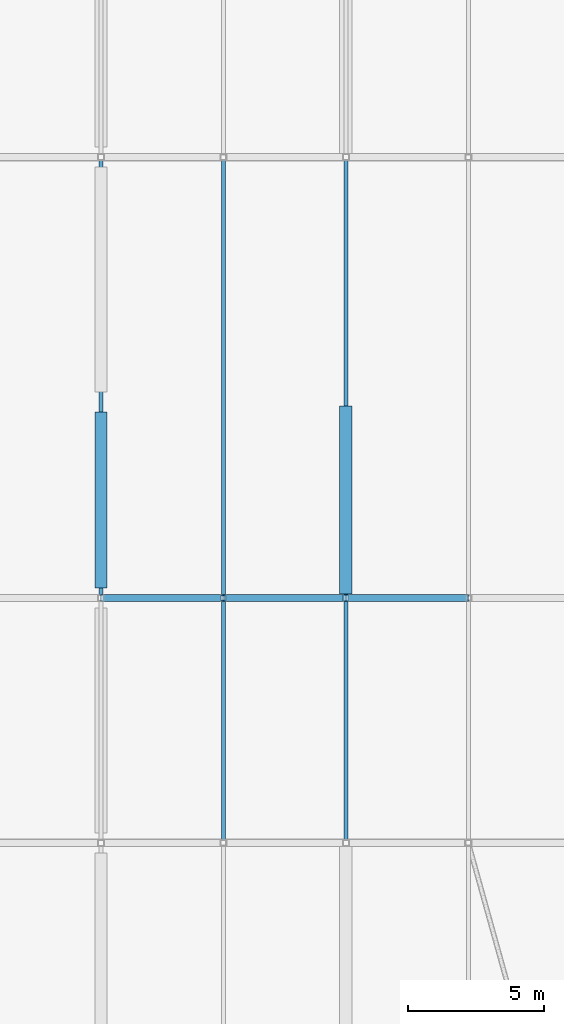
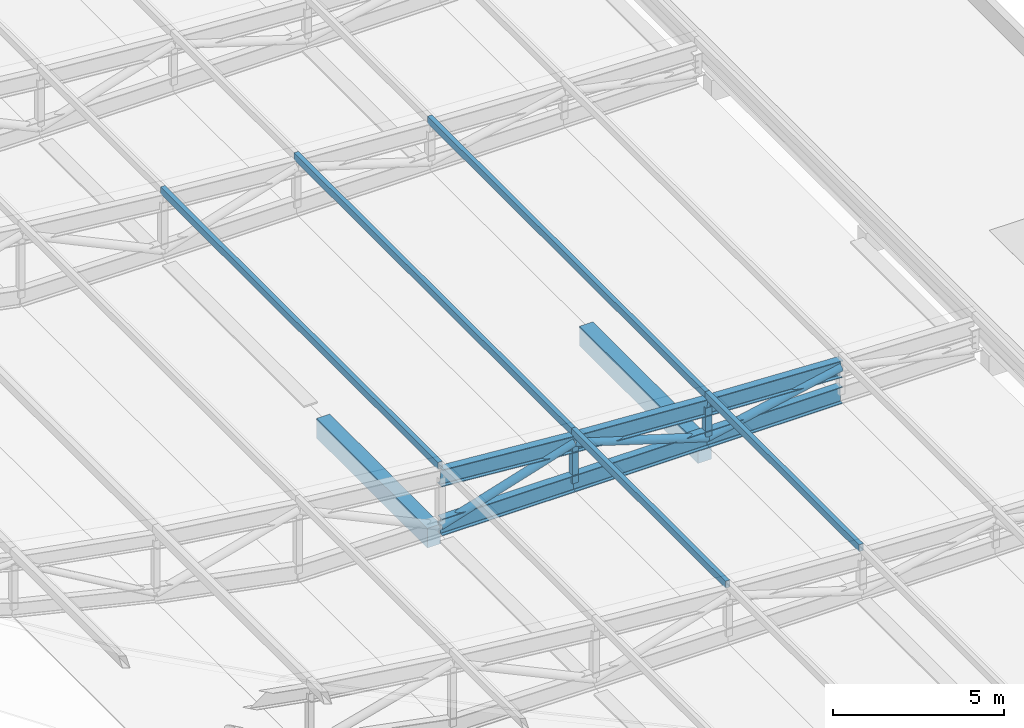
# One storey, part 57 of 114: 10 members, 8 beams.
"""IFC4 building model written with IfcOpenShell, lengths in metres."""

import ifcopenshell
import ifcopenshell.guid

model = None  # the IFC model being written
_history = None  # IfcOwnerHistory: only IFC2X3 demands one
_inside = {}  # id of a spatial element -> (the spatial element, [elements in it])
_under = {}  # id of a project, library or spatial element -> (it, [spatial elements below it])
_declared = {}  # id of a project -> (the project, [libraries it declares])
_typed = {}  # id of a type object -> (the type object, [elements of that type])
_made_of = {}  # id of a material, layer set ... -> (it, [elements and type objects made of it])


def new_model(schema):
    """Start an empty IFC model of exactly this schema.

    Asked for "IFC4X3", IfcOpenShell would pick the latest addendum, in which some entities
    have other attributes; the version numbers below select the first issue.
    IFC2X3 requires an IfcOwnerHistory on every rooted entity: one is made here for all.
    """
    global model, _history
    if schema == "IFC4X3":
        model = ifcopenshell.file(schema_version=(4, 3, 0, 0))
    else:
        model = ifcopenshell.file(schema=schema)
    _inside.clear()
    _under.clear()
    _declared.clear()
    _typed.clear()
    _made_of.clear()
    _history = None
    if model.schema == "IFC2X3":
        org = make("IfcOrganization", Name="unknown")
        user = make(
            "IfcPersonAndOrganization",
            ThePerson=make("IfcPerson", FamilyName="unknown"),
            TheOrganization=org,
        )
        app = make(
            "IfcApplication",
            ApplicationDeveloper=org,
            Version="unknown",
            ApplicationFullName="unknown",
            ApplicationIdentifier="unknown",
        )
        _history = make(
            "IfcOwnerHistory",
            OwningUser=user,
            OwningApplication=app,
            ChangeAction="ADDED",
            CreationDate=0,
        )
    return model


def make(cls, **values):
    """One entity of the class cls with the attributes given. An attribute that is None is left unset."""
    return model.create_entity(
        cls, **{name: value for name, value in values.items() if value is not None}
    )


def rooted(cls, **values):
    """An entity with a GlobalId (a new one), such as an element, a storey or a relation."""
    return make(cls, GlobalId=ifcopenshell.guid.new(), OwnerHistory=_history, **values)


def si_unit(unit_type, name, prefix=None):
    """IfcSIUnit, for example si_unit("LENGTHUNIT", "METRE", prefix="MILLI")."""
    return make("IfcSIUnit", UnitType=unit_type, Prefix=prefix, Name=name)


def assignment(units):
    """IfcUnitAssignment: the units of a project."""
    return None if units is None else make("IfcUnitAssignment", Units=units)


def point(xyz):
    """IfcCartesianPoint."""
    return None if xyz is None else make("IfcCartesianPoint", Coordinates=xyz)


def direction(xyz):
    """IfcDirection."""
    return None if xyz is None else make("IfcDirection", DirectionRatios=xyz)


def frame(location, z_axis=None, x_axis=None):
    """IfcAxis2Placement3D, a coordinate frame: its origin and axes. An axis left out is left unset."""
    return make(
        "IfcAxis2Placement3D",
        Location=point(location),
        Axis=direction(z_axis),
        RefDirection=direction(x_axis),
    )


def frame_2d(location, x_axis=None):
    """IfcAxis2Placement2D, a coordinate frame in the plane: its origin and x axis."""
    return make(
        "IfcAxis2Placement2D", Location=point(location), RefDirection=direction(x_axis)
    )


def origin():
    """The frame at (0, 0, 0) with its axes left unset."""
    return frame((0.0, 0.0, 0.0))


def origin_2d():
    """The frame at (0, 0) in the plane with its x axis left unset."""
    return frame_2d((0.0, 0.0))


def place(relative_to, where):
    """IfcLocalPlacement: puts the frame where relative to a parent placement (None: the world)."""
    return make(
        "IfcLocalPlacement", PlacementRelTo=relative_to, RelativePlacement=where
    )


def context(
    kind, dimensions, precision=None, world=None, true_north=None, identifier=None
):
    """IfcGeometricRepresentationContext, for example the 3D "Model" context."""
    return make(
        "IfcGeometricRepresentationContext",
        ContextIdentifier=identifier,
        ContextType=kind,
        CoordinateSpaceDimension=dimensions,
        Precision=precision,
        WorldCoordinateSystem=world,
        TrueNorth=true_north,
    )


def subcontext(parent, identifier, kind, view, scale=None):
    """IfcGeometricRepresentationSubContext, for example "Body" below "Model"."""
    return make(
        "IfcGeometricRepresentationSubContext",
        ContextIdentifier=identifier,
        ContextType=kind,
        ParentContext=parent,
        TargetScale=scale,
        TargetView=view,
    )


def project(units=None, contexts=None):
    """IfcProject with its units and contexts."""
    return rooted(
        "IfcProject",
        Name="project",
        RepresentationContexts=contexts,
        UnitsInContext=assignment(units),
    )


def spatial(cls, under=None, at=None, **own):
    """A site, building, storey or space (cls), placed at a placement, below another one or the project."""
    s = rooted(cls, ObjectPlacement=at, **own)
    if under is not None:
        _under.setdefault(under.id(), (under, []))[1].append(s)
    return s


def profile(cls, at=None, kind="AREA", **sizes):
    """A parametric profile (cls). Its sizes go by their IFC names, for example OverallWidth=200.0."""
    return make(cls, ProfileType=kind, Position=at, **sizes)


def rectangle(**sizes):
    """IfcRectangleProfileDef."""
    return profile("IfcRectangleProfileDef", **sizes)


def hollow_rectangle(**sizes):
    """IfcRectangleHollowProfileDef."""
    return profile("IfcRectangleHollowProfileDef", **sizes)


def hollow_circle(**sizes):
    """IfcCircleHollowProfileDef."""
    return profile("IfcCircleHollowProfileDef", **sizes)


def i_section(**sizes):
    """IfcIShapeProfileDef."""
    return profile("IfcIShapeProfileDef", **sizes)


def extrude(swept, where, along, depth):
    """IfcExtrudedAreaSolid: the profile swept, set in the frame where, extruded along a direction by depth."""
    return make(
        "IfcExtrudedAreaSolid",
        SweptArea=swept,
        Position=where,
        ExtrudedDirection=direction(along),
        Depth=depth,
    )


def shape(context_of_items, identifier, shape_type, items):
    """IfcShapeRepresentation: the items that make up one representation, for example the "Body"."""
    return make(
        "IfcShapeRepresentation",
        ContextOfItems=context_of_items,
        RepresentationIdentifier=identifier,
        RepresentationType=shape_type,
        Items=items,
    )


def material(Name=None, Category=None):
    """IfcMaterial."""
    return make("IfcMaterial", Name=Name, Category=Category)


def material_profile(
    of_material, cross_section, Name=None, Category=None, Priority=None
):
    """IfcMaterialProfile: a cross section and its material."""
    return make(
        "IfcMaterialProfile",
        Name=Name,
        Material=of_material,
        Profile=cross_section,
        Priority=Priority,
        Category=Category,
    )


def profile_set(profiles, Name=None, composite=None):
    """IfcMaterialProfileSet."""
    return make(
        "IfcMaterialProfileSet",
        Name=Name,
        MaterialProfiles=profiles,
        CompositeProfile=composite,
    )


def made_of(thing, what):
    """Note that an element or type object is made of a material, layer set ...; save() writes the relation."""
    if what is not None:
        _made_of.setdefault(what.id(), (what, []))[1].append(thing)
    return thing


def type_object(cls, material=None, **own):
    """A type object (cls), such as IfcWallType, which elements share."""
    return made_of(rooted(cls, **own), material)


def element(
    cls,
    number,
    at=None,
    inside=None,
    cuts=None,
    type_object=None,
    material=None,
    context=None,
    identifier="Body",
    shape_type=None,
    held_by="IfcProductDefinitionShape",
    body=None,
    shapes=None,
    **own,
):
    """One element of the class cls, such as IfcWall. Its Tag is "e" and its number.

    at: its placement. inside: the storey or other place that contains it. cuts: it is an
    opening in that element (IfcRelVoidsElement). A single representation is given by context,
    identifier, shape_type and body (its items); several are given by shapes. held_by: the class
    of the entity that holds the representations. save() writes the other relations.
    """
    e = rooted(cls, Tag="e%d" % number, ObjectPlacement=at, **own)
    if body is not None:
        shapes = [shape(context, identifier, shape_type, body)]
    if shapes is not None:
        e.Representation = make(held_by, Representations=shapes)
    if inside is not None:
        _inside.setdefault(inside.id(), (inside, []))[1].append(e)
    if cuts is not None:
        rooted(
            "IfcRelVoidsElement", RelatingBuildingElement=cuts, RelatedOpeningElement=e
        )
    if type_object is not None:
        _typed.setdefault(type_object.id(), (type_object, []))[1].append(e)
    return made_of(e, material)


def aggregate(whole, parts):
    """IfcRelAggregates: a whole, such as a stair, and the parts it consists of."""
    return rooted("IfcRelAggregates", RelatingObject=whole, RelatedObjects=parts)


def save(model, path):
    """Write the relations noted so far, then the file.

    IfcRelAggregates (storeys below a building ...), IfcRelContainedInSpatialStructure (elements
    in a storey), IfcRelDefinesByType, IfcRelAssociatesMaterial and IfcRelDeclares: one each for
    every whole, place, type object, material and project.
    """
    for whole, parts in _under.values():
        aggregate(whole, parts)
    for where, things in _inside.values():
        rooted(
            "IfcRelContainedInSpatialStructure",
            RelatedElements=things,
            RelatingStructure=where,
        )
    for kind, things in _typed.values():
        rooted("IfcRelDefinesByType", RelatedObjects=things, RelatingType=kind)
    for what, things in _made_of.values():
        rooted("IfcRelAssociatesMaterial", RelatedObjects=things, RelatingMaterial=what)
    for by, libraries in _declared.values():
        rooted("IfcRelDeclares", RelatingContext=by, RelatedDefinitions=libraries)
    model.write(path)


model = new_model("IFC4")

# Units and contexts
model_context = context("Model", 3, precision=1e-05, world=origin(), true_north=direction((0.0, 1.0)))
body_context = subcontext(model_context, "Body", "Model", "MODEL_VIEW")
ifc_project = project(units=[si_unit("LENGTHUNIT", "METRE"), si_unit("AREAUNIT", "SQUARE_METRE"), si_unit("VOLUMEUNIT", "CUBIC_METRE"), si_unit("PLANEANGLEUNIT", "RADIAN"), si_unit("MASSUNIT", "GRAM", prefix="KILO"), si_unit("THERMODYNAMICTEMPERATUREUNIT", "KELVIN"), si_unit("POWERUNIT", "WATT")], contexts=[model_context])

# Site, building, storey
site_placement = place(None, origin())
site = spatial("IfcSite", under=ifc_project, at=site_placement, CompositionType="ELEMENT")
building_placement = place(site_placement, origin())
building = spatial("IfcBuilding", under=site, at=building_placement, Name="Sindhuravela Promenade Stadium", CompositionType="ELEMENT")
storey_placement = place(building_placement, frame((0.0, 0.0, 24.0)))
storey = spatial("IfcBuildingStorey", under=building, at=storey_placement, Name="L05", CompositionType="ELEMENT", Elevation=24.0)

# Beams
ifc_material_1 = material(Name="Concrete M40", Category="concrete")
ifc_material_profile_1 = material_profile(ifc_material_1, rectangle(XDim=0.449951171875, YDim=0.699951171875, at=origin_2d()), Name="RC 450x700")
ifc_profile_set_1 = profile_set([ifc_material_profile_1], Name="Concrete M40")
beam_type_1 = type_object("IfcBeamType", Name="RC-BM-450x700", PredefinedType="BEAM", material=ifc_profile_set_1)
beam_1_placement = place(storey_placement, frame((180.0, 93.965087890625, -0.594970703125), z_axis=(0.0, 1.0, 0.0), x_axis=(-1.0, 0.0, 0.0)))
element("IfcBeam", 1, at=beam_1_placement, inside=storey, type_object=beam_type_1, Name="Primary beam GB07 EAST L05", PredefinedType="BEAM", context=body_context, shape_type="SweptSolid", body=[
    extrude(rectangle(XDim=0.449951171875, YDim=0.699951171875, at=origin_2d()), origin(), (0.0, 0.0, 1.0), 6.469970703125),
])
beam_2_placement = place(storey_placement, frame((189.0, 93.739990234375, -0.594970703125), z_axis=(0.0, 1.0, 0.0), x_axis=(-1.0, 0.0, 0.0)))
element("IfcBeam", 2, at=beam_2_placement, inside=storey, type_object=beam_type_1, Name="Primary beam GB07 EAST L05", PredefinedType="BEAM", context=body_context, shape_type="SweptSolid", body=[
    extrude(rectangle(XDim=0.449951171875, YDim=0.699951171875, at=origin_2d()), origin(), (0.0, 0.0, 1.0), 6.919921875),
])
ifc_material_2 = material(Name="Steel E350 (IS 2062 E350BR)", Category="steel")
ifc_material_profile_2 = material_profile(ifc_material_2, i_section(OverallWidth=0.25, OverallDepth=0.60009765625, WebThickness=0.01171875, FlangeThickness=0.023681640625, FilletRadius=0.01708984375, at=origin_2d()), Name="ISWB 600")
ifc_profile_set_2 = profile_set([ifc_material_profile_2], Name="Steel E350 (IS 2062 E350BR)")
beam_type_2 = type_object("IfcBeamType", Name="ST-BM-WB600", PredefinedType="USERDEFINED", material=ifc_profile_set_2)
beam_3_placement = place(storey_placement, frame((193.5, 93.60009765625, 0.9306640625), z_axis=(-0.9990310406412204, 0.0, 0.04401113308380376), x_axis=(0.0, -1.0, 0.0)))
element("IfcBeam", 3, at=beam_3_placement, inside=storey, type_object=beam_type_2, Name="Roof truss RT-E06 top chord 2", ObjectType="ROOF TRUSS", PredefinedType="USERDEFINED", context=body_context, shape_type="SweptSolid", body=[
    extrude(i_section(OverallWidth=0.25, OverallDepth=0.60009765625, WebThickness=0.01171875, FlangeThickness=0.023681640625, FilletRadius=0.01708984375, at=origin_2d()), origin(), (0.0, 0.0, 1.0), 4.50439453125),
])
beam_4_placement = place(storey_placement, frame((193.5, 93.60009765625, 0.0), z_axis=(-1.0, 0.0, 0.0), x_axis=(0.0, -1.0, 0.0)))
element("IfcBeam", 4, at=beam_4_placement, inside=storey, type_object=beam_type_2, Name="Roof truss RT-E06 bottom chord 2", ObjectType="ROOF TRUSS", PredefinedType="USERDEFINED", context=body_context, shape_type="SweptSolid", body=[
    extrude(i_section(OverallWidth=0.25, OverallDepth=0.60009765625, WebThickness=0.01171875, FlangeThickness=0.023681640625, FilletRadius=0.01708984375, at=origin_2d()), origin(), (0.0, 0.0, 1.0), 4.5),
])
beam_5_placement = place(storey_placement, frame((189.0, 93.60009765625, 1.12890625), z_axis=(-0.9981720622420935, 0.0, 0.06043619908106426), x_axis=(0.0, -1.0, 0.0)))
element("IfcBeam", 5, at=beam_5_placement, inside=storey, type_object=beam_type_2, Name="Roof truss RT-E06 top chord 3", ObjectType="ROOF TRUSS", PredefinedType="USERDEFINED", context=body_context, shape_type="SweptSolid", body=[
    extrude(i_section(OverallWidth=0.25, OverallDepth=0.60009765625, WebThickness=0.01171875, FlangeThickness=0.023681640625, FilletRadius=0.01708984375, at=origin_2d()), origin(), (0.0, 0.0, 1.0), 4.50830078125),
])
beam_6_placement = place(storey_placement, frame((189.0, 93.60009765625, 0.0), z_axis=(-1.0, 0.0, 0.0), x_axis=(0.0, -1.0, 0.0)))
element("IfcBeam", 6, at=beam_6_placement, inside=storey, type_object=beam_type_2, Name="Roof truss RT-E06 bottom chord 3", ObjectType="ROOF TRUSS", PredefinedType="USERDEFINED", context=body_context, shape_type="SweptSolid", body=[
    extrude(i_section(OverallWidth=0.25, OverallDepth=0.60009765625, WebThickness=0.01171875, FlangeThickness=0.023681640625, FilletRadius=0.01708984375, at=origin_2d()), origin(), (0.0, 0.0, 1.0), 4.5),
])
beam_7_placement = place(storey_placement, frame((184.5, 93.60009765625, 1.4013671875), z_axis=(-0.9968775679455489, 0.0, 0.07896274138457582), x_axis=(0.0, -1.0, 0.0)))
element("IfcBeam", 7, at=beam_7_placement, inside=storey, type_object=beam_type_2, Name="Roof truss RT-E06 top chord 4", ObjectType="ROOF TRUSS", PredefinedType="USERDEFINED", context=body_context, shape_type="SweptSolid", body=[
    extrude(i_section(OverallWidth=0.25, OverallDepth=0.60009765625, WebThickness=0.01171875, FlangeThickness=0.023681640625, FilletRadius=0.01708984375, at=origin_2d()), origin(), (0.0, 0.0, 1.0), 4.51416015625),
])
beam_8_placement = place(storey_placement, frame((184.5, 93.60009765625, 0.0), z_axis=(-1.0, 0.0, 0.0), x_axis=(0.0, -1.0, 0.0)))
element("IfcBeam", 8, at=beam_8_placement, inside=storey, type_object=beam_type_2, Name="Roof truss RT-E06 bottom chord 4", ObjectType="ROOF TRUSS", PredefinedType="USERDEFINED", context=body_context, shape_type="SweptSolid", body=[
    extrude(i_section(OverallWidth=0.25, OverallDepth=0.60009765625, WebThickness=0.01171875, FlangeThickness=0.023681640625, FilletRadius=0.01708984375, at=origin_2d()), origin(), (0.0, 0.0, 1.0), 4.5),
])

# Members
ifc_material_profile_3 = material_profile(ifc_material_2, hollow_circle(Radius=0.136474609375, WallThickness=0.010009765625, at=origin_2d()), Name="CHS 273.0x10")
ifc_profile_set_3 = profile_set([ifc_material_profile_3], Name="Steel E350 (IS 2062 E350BR)")
member_type_1 = type_object("IfcMemberType", Name="ST-MB-CHS273", PredefinedType="BRACE", material=ifc_profile_set_3)
member_1_placement = place(storey_placement, frame((193.5, 93.60009765625, 0.9306640625), z_axis=(-0.9792764097222669, 0.0, -0.2025283026183421), x_axis=(0.0, -1.0, 0.0)))
element("IfcMember", 9, at=member_1_placement, inside=storey, type_object=member_type_1, Name="Roof truss RT-E06 diagonal web 2", PredefinedType="BRACE", context=body_context, shape_type="SweptSolid", body=[
    extrude(hollow_circle(Radius=0.136474609375, WallThickness=0.010009765625, at=origin_2d()), origin(), (0.0, 0.0, 1.0), 4.59521484375),
])
for number, where, z_axis, x_axis, name in (
    (10, (189.0, 93.60009765625, 0.0), (-0.9547744570376746, 0.0, 0.2973310212346057), (0.0, -1.0, 0.0), "Roof truss RT-E06 diagonal web 3"),
    (11, (184.5, 93.60009765625, 1.4013671875), (-0.9547744570376746, 0.0, -0.2973310212346057), (0.0, -1.0, 0.0), "Roof truss RT-E06 diagonal web 4"),
):
    element("IfcMember", number, at=place(storey_placement, frame(where, z_axis=z_axis, x_axis=x_axis)), inside=storey, type_object=member_type_1, Name=name, PredefinedType="BRACE", context=body_context, shape_type="SweptSolid", body=[
        extrude(hollow_circle(Radius=0.136474609375, WallThickness=0.010009765625, at=origin_2d()), origin(), (0.0, 0.0, 1.0), 4.713134765625),
    ])
ifc_material_profile_4 = material_profile(ifc_material_2, hollow_rectangle(XDim=0.14990234375, YDim=0.25, WallThickness=0.010009765625, at=origin_2d()), Name="RHS 250x150x10")
ifc_profile_set_4 = profile_set([ifc_material_profile_4], Name="Steel E350 (IS 2062 E350BR)")
member_type_2 = type_object("IfcMemberType", Name="ST-MB-RHS250", PredefinedType="PURLIN", material=ifc_profile_set_4)
for number, where, z_axis, x_axis, name in (
    (12, (189.0, 84.60009765625, 1.52099609375), (0.0, 1.0, 0.0), (-1.0, 0.0, 0.0), "Roof purlin PR01 E bay 5.3"),
    (13, (184.5, 84.60009765625, 1.79345703125), (0.0, 1.0, 0.0), (-1.0, 0.0, 0.0), "Roof purlin PR01 E bay 5.4"),
):
    element("IfcMember", number, at=place(storey_placement, frame(where, z_axis=z_axis, x_axis=x_axis)), inside=storey, type_object=member_type_2, Name=name, PredefinedType="PURLIN", context=body_context, shape_type="SweptSolid", body=[
        extrude(hollow_rectangle(XDim=0.14990234375, YDim=0.25, WallThickness=0.010009765625, at=origin_2d()), origin(), (0.0, 0.0, 1.0), 9.0),
    ])
for number, where, z_axis, x_axis, name in (
    (14, (189.0, 93.60009765625, 1.52099609375), (0.0, 1.0, 0.0), (-1.0, 0.0, 0.0), "Roof purlin PR01 E bay 6.3"),
    (15, (184.5, 93.60009765625, 1.79345703125), (0.0, 1.0, 0.0), (-1.0, 0.0, 0.0), "Roof purlin PR01 E bay 6.4"),
    (16, (180.0, 93.60009765625, 2.14990234375), (0.0, 1.0, 0.0), (-1.0, 0.0, 0.0), "Roof purlin PR01 E bay 6.5"),
):
    element("IfcMember", number, at=place(storey_placement, frame(where, z_axis=z_axis, x_axis=x_axis)), inside=storey, type_object=member_type_2, Name=name, PredefinedType="PURLIN", context=body_context, shape_type="SweptSolid", body=[
        extrude(hollow_rectangle(XDim=0.14990234375, YDim=0.25, WallThickness=0.010009765625, at=origin_2d()), origin(), (0.0, 0.0, 1.0), 16.199951171875),
    ])
ifc_material_profile_5 = material_profile(ifc_material_2, hollow_rectangle(XDim=0.199951171875, YDim=0.199951171875, WallThickness=0.010009765625, at=origin_2d()), Name="SHS 200x200x10")
ifc_profile_set_5 = profile_set([ifc_material_profile_5], Name="Steel E350 (IS 2062 E350BR)")
member_type_3 = type_object("IfcMemberType", Name="ST-MB-SHS200", PredefinedType="POST", material=ifc_profile_set_5)
member_2_placement = place(storey_placement, frame((184.5, 93.60009765625, 0.0), z_axis=(0.0, 0.0, 1.0), x_axis=(1.0, 0.0, 0.0)))
element("IfcMember", 17, at=member_2_placement, inside=storey, type_object=member_type_3, Name="Roof truss RT-E06 vertical post 4", PredefinedType="POST", context=body_context, shape_type="SweptSolid", body=[
    extrude(hollow_rectangle(XDim=0.199951171875, YDim=0.199951171875, WallThickness=0.010009765625, at=origin_2d()), origin(), (0.0, 0.0, 1.0), 1.4013671875),
])
ifc_material_profile_6 = material_profile(ifc_material_2, hollow_rectangle(XDim=0.219970703125, YDim=0.219970703125, WallThickness=0.011962890625, at=origin_2d()), Name="SHS 220x220x12")
ifc_profile_set_6 = profile_set([ifc_material_profile_6], Name="Steel E350 (IS 2062 E350BR)")
member_type_4 = type_object("IfcMemberType", Name="ST-MB-SHS220", PredefinedType="POST", material=ifc_profile_set_6)
member_3_placement = place(storey_placement, frame((189.0, 93.60009765625, 0.0), z_axis=(0.0, 0.0, 1.0), x_axis=(1.0, 0.0, 0.0)))
element("IfcMember", 18, at=member_3_placement, inside=storey, type_object=member_type_4, Name="Roof truss RT-E06 vertical post 3", PredefinedType="POST", context=body_context, shape_type="SweptSolid", body=[
    extrude(hollow_rectangle(XDim=0.219970703125, YDim=0.219970703125, WallThickness=0.011962890625, at=origin_2d()), origin(), (0.0, 0.0, 1.0), 1.12890625),
])

save(model, "model.ifc")
